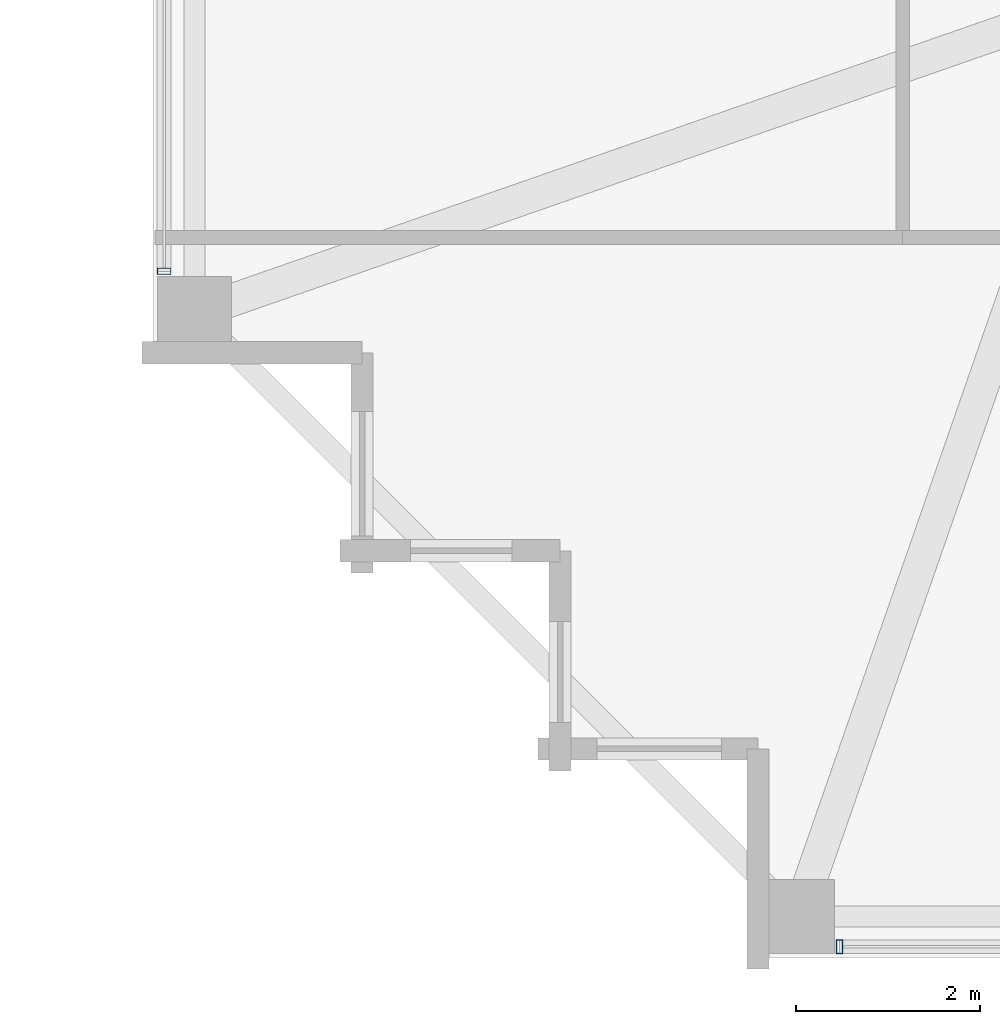
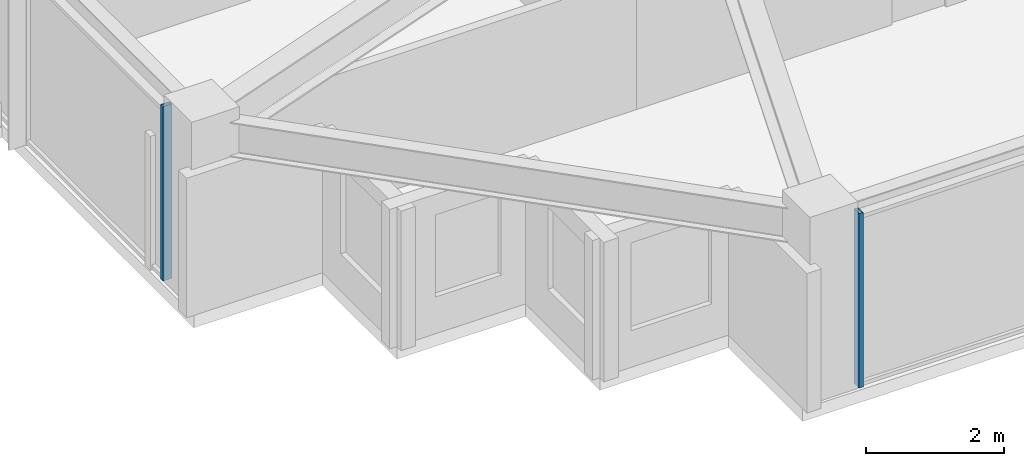
# One storey, part 2 of 34: 2 members, 2 elements without a shape of their own.
"""IFC4 building model written with IfcOpenShell, lengths in metres."""

from ifc_helpers import new_model, si_unit, direction, frame, origin, origin_2d, place, context, subcontext, project, spatial, hollow_rectangle, extrude, material, material_profile, profile_set, type_object, element, aggregate, save


model = new_model("IFC4")

# Units and contexts
model_context = context("Model", 3, precision=1e-05, world=origin(), true_north=direction((0.0, 1.0)))
body_context = subcontext(model_context, "Body", "Model", "MODEL_VIEW")
ifc_project = project(units=[si_unit("LENGTHUNIT", "METRE"), si_unit("AREAUNIT", "SQUARE_METRE"), si_unit("VOLUMEUNIT", "CUBIC_METRE"), si_unit("PLANEANGLEUNIT", "RADIAN"), si_unit("MASSUNIT", "GRAM", prefix="KILO")], contexts=[model_context])

# Site, building, storey
site_placement = place(None, origin())
site = spatial("IfcSite", under=ifc_project, at=site_placement, CompositionType="ELEMENT")
building_placement = place(site_placement, origin())
building = spatial("IfcBuilding", under=site, at=building_placement, Name="Kolvaren Belvedere", CompositionType="ELEMENT")
storey_placement = place(building_placement, frame((0.0, 0.0, 222.89990234375)))
storey = spatial("IfcBuildingStorey", under=building, at=storey_placement, Name="L65", CompositionType="ELEMENT", Elevation=222.89990234375)

# Curtain wall, member
ifc_material_1 = material(Name="Anodised pale-metal aluminium AA 6063-T6", Category="aluminium")
curtain_wall_type = type_object("IfcCurtainWallType", Name="CW-Z5-HIGH", PredefinedType="NOTDEFINED", material=ifc_material_1)
curtain_wall_1_placement = place(storey_placement, origin())
curtain_wall_1 = element("IfcCurtainWall", 1, at=curtain_wall_1_placement, inside=storey, type_object=curtain_wall_type, Name="L65 Unitised Curtain Wall FCW-L65-S-B3", PredefinedType="NOTDEFINED")
ifc_material_2 = material(Name="Anodised pale-metal aluminium AA 6063-T6", Category="aluminium")
ifc_material_profile = material_profile(ifc_material_2, hollow_rectangle(XDim=0.070068359375, YDim=0.14990234375, WallThickness=0.004150390625, at=origin_2d()), Name="ALU-MUL-150X70")
ifc_profile_set = profile_set([ifc_material_profile], Name="Anodised pale-metal aluminium AA 6063-T6")
member_type = type_object("IfcMemberType", Name="CW-MUL-150", PredefinedType="MULLION", material=ifc_profile_set)
member_1_placement = place(storey_placement, frame((-12.945068359375, -20.280029296875, 0.0), z_axis=(0.0, 0.0, 1.0), x_axis=(1.0, 0.0, 0.0)))
member_1 = element("IfcMember", 2, at=member_1_placement, type_object=member_type, Name="FCW-L65-S-B3 Unitised Mullion 3", PredefinedType="MULLION", context=body_context, shape_type="SweptSolid", body=[
    extrude(hollow_rectangle(XDim=0.070068359375, YDim=0.14990234375, WallThickness=0.004150390625, at=origin_2d()), origin(), (0.0, 0.0, 1.0), 3.080078125),
])
aggregate(curtain_wall_1, [member_1])

curtain_wall_2_placement = place(storey_placement, origin())
curtain_wall_2 = element("IfcCurtainWall", 3, at=curtain_wall_2_placement, inside=storey, type_object=curtain_wall_type, Name="L65 Unitised Curtain Wall FCW-L65-W1-B1", PredefinedType="NOTDEFINED")
member_2_placement = place(storey_placement, frame((-20.280029296875, -12.945068359375, 0.0), z_axis=(0.0, 0.0, 1.0), x_axis=(0.0, 1.0, 0.0)))
member_2 = element("IfcMember", 4, at=member_2_placement, type_object=member_type, Name="FCW-L65-W1-B1 Unitised Mullion 1", PredefinedType="MULLION", context=body_context, shape_type="SweptSolid", body=[
    extrude(hollow_rectangle(XDim=0.070068359375, YDim=0.14990234375, WallThickness=0.004150390625, at=origin_2d()), origin(), (0.0, 0.0, 1.0), 3.080078125),
])
aggregate(curtain_wall_2, [member_2])

save(model, "model.ifc")
